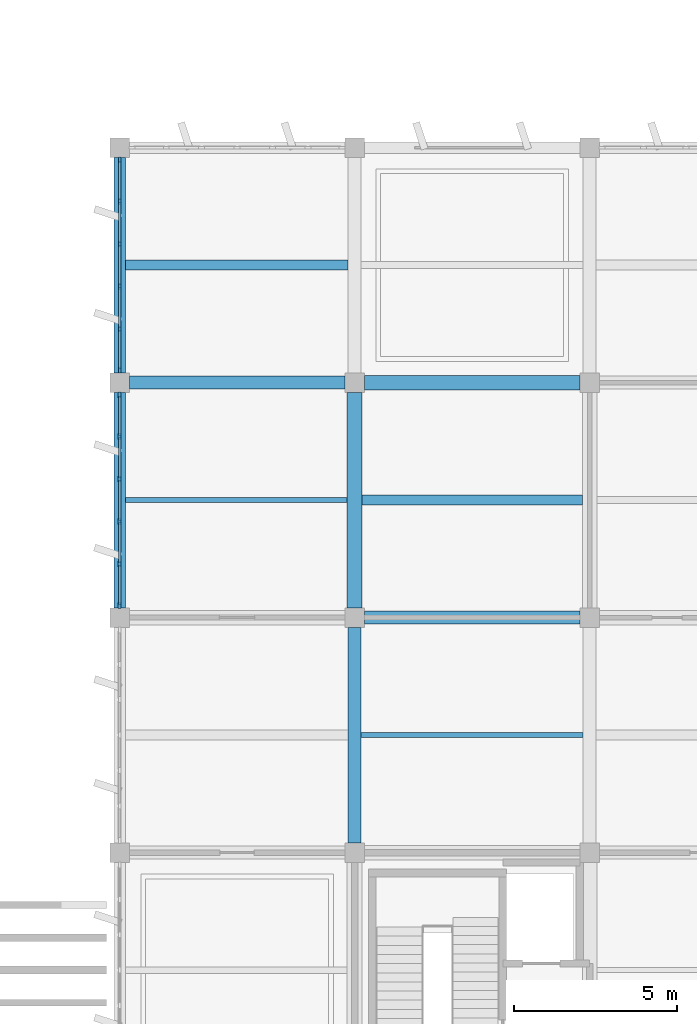
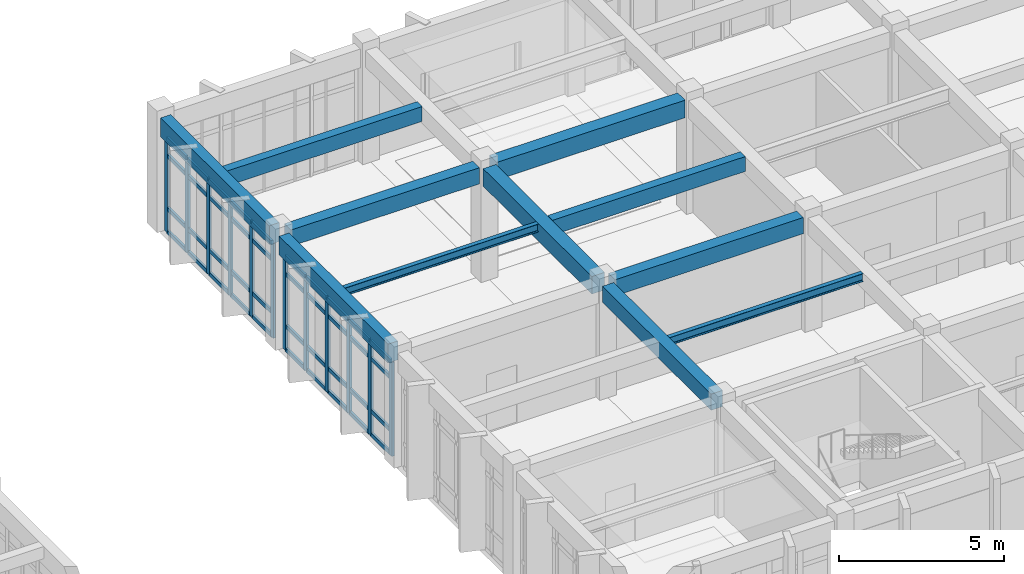
# One storey, part 13 of 81: 54 members, 9 beams, 2 elements without a shape of their own.
"""IFC4 building model written with IfcOpenShell, lengths in metres."""

from ifc_helpers import new_model, si_unit, direction, frame, origin, origin_2d, place, context, subcontext, project, spatial, rectangle, i_section, extrude, material, layer, layer_set, material_profile, profile_set, type_object, element, aggregate, save


model = new_model("IFC4")

# Units and contexts
model_context = context("Model", 3, precision=1e-05, world=origin(), true_north=direction((0.0, 1.0)))
body_context = subcontext(model_context, "Body", "Model", "MODEL_VIEW")
ifc_project = project(units=[si_unit("LENGTHUNIT", "METRE"), si_unit("AREAUNIT", "SQUARE_METRE"), si_unit("VOLUMEUNIT", "CUBIC_METRE"), si_unit("PLANEANGLEUNIT", "RADIAN"), si_unit("MASSUNIT", "GRAM", prefix="KILO")], contexts=[model_context])

# Site, building, storey
site_placement = place(None, origin())
site = spatial("IfcSite", under=ifc_project, at=site_placement, CompositionType="ELEMENT")
building_placement = place(site_placement, origin())
building = spatial("IfcBuilding", under=site, at=building_placement, Name="Kavelor Marine Aquarium", CompositionType="ELEMENT")
storey_placement = place(building_placement, frame((0.0, 0.0, 4.679931640625)))
storey = spatial("IfcBuildingStorey", under=building, at=storey_placement, Name="L01", CompositionType="ELEMENT", Elevation=4.679931640625)

# Beams
ifc_material_1 = material(Name="Concrete C40/50", Category="concrete")
ifc_material_profile_1 = material_profile(ifc_material_1, rectangle(XDim=0.449951171875, YDim=0.64990234375, at=origin_2d()), Name="RC-BM 450x650")
ifc_profile_set_1 = profile_set([ifc_material_profile_1], Name="Concrete C40/50")
beam_type_1 = type_object("IfcBeamType", Name="BM-B3", PredefinedType="BEAM", material=ifc_profile_set_1)
for number, where, z_axis, x_axis, name in (
    (1, (125.89990234375, 24.39990234375, 3.875), (1.0, 0.0, 0.0), (0.0, 1.0, 0.0), "bm:x:L01:L02:17_03"),
    (2, (125.60009765625, 17.5, 3.875), (0.0, 1.0, 0.0), (-1.0, 0.0, 0.0), "bm:y:L01:L02:17_02"),
):
    element("IfcBeam", number, at=place(storey_placement, frame(where, z_axis=z_axis, x_axis=x_axis)), inside=storey, type_object=beam_type_1, Name=name, PredefinedType="BEAM", context=body_context, shape_type="SweptSolid", body=[
        extrude(rectangle(XDim=0.449951171875, YDim=0.64990234375, at=origin_2d()), origin(), (0.0, 0.0, 1.0), 6.60009765625),
    ])
ifc_material_2 = material(Name="Concrete C40/50", Category="concrete")
ifc_material_profile_2 = material_profile(ifc_material_2, rectangle(XDim=0.39990234375, YDim=0.60009765625, at=origin_2d()), Name="RC-BM 400x600")
ifc_profile_set_2 = profile_set([ifc_material_profile_2], Name="Concrete C40/50")
beam_type_2 = type_object("IfcBeamType", Name="BM-B4", PredefinedType="BEAM", material=ifc_profile_set_2)
for number, where, z_axis, x_axis, name in (
    (3, (118.699951171875, 24.39990234375, 3.900146484375), (1.0, 0.0, 0.0), (0.0, 1.0, 0.0), "bm:x:L01:L02:16_03"),
    (4, (125.89990234375, 17.199951171875, 3.900146484375), (1.0, 0.0, 0.0), (0.0, 1.0, 0.0), "bm:x:L01:L02:17_02"),
):
    element("IfcBeam", number, at=place(storey_placement, frame(where, z_axis=z_axis, x_axis=x_axis)), inside=storey, type_object=beam_type_2, Name=name, PredefinedType="BEAM", context=body_context, shape_type="SweptSolid", body=[
        extrude(rectangle(XDim=0.39990234375, YDim=0.60009765625, at=origin_2d()), origin(), (0.0, 0.0, 1.0), 6.60009765625),
    ])
beam_1_placement = place(storey_placement, frame((125.60009765625, 10.300048828125, 3.900146484375), z_axis=(0.0, 1.0, 0.0), x_axis=(-1.0, 0.0, 0.0)))
element("IfcBeam", 5, at=beam_1_placement, inside=storey, type_object=beam_type_2, Name="bm:y:L01:L02:17_01", PredefinedType="BEAM", context=body_context, shape_type="SweptSolid", body=[
    extrude(rectangle(XDim=0.39990234375, YDim=0.60009765625, at=origin_2d()), origin(), (0.0, 0.0, 1.0), 6.599853515625),
])
ifc_material_3 = material(Name="Concrete C40/50", Category="concrete")
ifc_material_profile_3 = material_profile(ifc_material_3, rectangle(XDim=0.300048828125, YDim=0.550048828125, at=origin_2d()), Name="RC-JS 300x550")
ifc_profile_set_3 = profile_set([ifc_material_profile_3], Name="Concrete C40/50")
beam_type_3 = type_object("IfcBeamType", Name="BM-JS2", PredefinedType="JOIST", material=ifc_profile_set_3)
beam_2_placement = place(storey_placement, frame((118.574951171875, 28.0, 3.945068359375), z_axis=(1.0, 0.0, 0.0), x_axis=(0.0, 1.0, 0.0)))
element("IfcBeam", 6, at=beam_2_placement, inside=storey, type_object=beam_type_3, Name="js:L01:L02:16_03", PredefinedType="JOIST", context=body_context, shape_type="SweptSolid", body=[
    extrude(rectangle(XDim=0.300048828125, YDim=0.550048828125, at=origin_2d()), origin(), (0.0, 0.0, 1.0), 6.824951171875),
])
beam_3_placement = place(storey_placement, frame((125.824951171875, 20.800048828125, 3.945068359375), z_axis=(1.0, 0.0, 0.0), x_axis=(0.0, 1.0, 0.0)))
element("IfcBeam", 7, at=beam_3_placement, inside=storey, type_object=beam_type_3, Name="js:L01:L02:17_02", PredefinedType="JOIST", context=body_context, shape_type="SweptSolid", body=[
    extrude(rectangle(XDim=0.300048828125, YDim=0.550048828125, at=origin_2d()), origin(), (0.0, 0.0, 1.0), 6.75),
])
ifc_material_4 = material(Name="Concrete C40/50", Category="concrete")
ifc_material_profile_4 = material_profile(ifc_material_4, rectangle(XDim=0.35009765625, YDim=0.699951171875, at=origin_2d()), Name="RC-SP 350x700")
ifc_profile_set_4 = profile_set([ifc_material_profile_4], Name="Concrete C40/50")
beam_type_4 = type_object("IfcBeamType", Name="BM-SP1", PredefinedType="SPANDREL", material=ifc_profile_set_4)
for number, where, z_axis, x_axis, name in (
    (8, (118.39990234375, 17.5, 3.85009765625), (0.0, 1.0, 0.0), (-1.0, 0.0, 0.0), "bm:y:L01:L02:16_02"),
    (9, (118.39990234375, 24.699951171875, 3.8701171875), (0.0, 1.0, 0.0), (-1.0, 0.0, 0.0), "bm:y:L01:L02:16_03"),
):
    element("IfcBeam", number, at=place(storey_placement, frame(where, z_axis=z_axis, x_axis=x_axis)), inside=storey, type_object=beam_type_4, Name=name, PredefinedType="SPANDREL", context=body_context, shape_type="SweptSolid", body=[
        extrude(rectangle(XDim=0.35009765625, YDim=0.699951171875, at=origin_2d()), origin(), (0.0, 0.0, 1.0), 6.60009765625),
    ])

# Curtain wall, members
ifc_material_5 = material(Name="Thermally Broken Aluminium and Low-E Glass", Category="aluminium")
ifc_layer_1 = layer(ifc_material_5, 0.196044921875)
ifc_layer_set_1 = layer_set([ifc_layer_1], Name="CW-SYS7")
curtain_wall_type_1 = type_object("IfcCurtainWallType", Name="CW-SYS7", PredefinedType="USERDEFINED", material=ifc_layer_set_1)
curtain_wall_1_placement = place(storey_placement, origin())
curtain_wall_1 = element("IfcCurtainWall", 10, at=curtain_wall_1_placement, inside=storey, type_object=curtain_wall_type_1, Name="cw:y:L01:16_03", ObjectType="Curtain Wall", PredefinedType="USERDEFINED")
ifc_material_6 = material(Name="Anodised Aluminium Alloy 6063-T6", Category="aluminium")
ifc_material_profile_5 = material_profile(ifc_material_6, rectangle(XDim=0.074951171875, YDim=0.179931640625, at=origin_2d()), Name="CW-MUL 75x180")
ifc_profile_set_5 = profile_set([ifc_material_profile_5], Name="Anodised Aluminium Alloy 6063-T6")
member_type_1 = type_object("IfcMemberType", Name="CWM-1", PredefinedType="MULLION", material=ifc_profile_set_5)
member_1_placement = place(storey_placement, frame((118.39990234375, 31.217529296875, 0.0), z_axis=(0.0, 0.0, 1.0), x_axis=(1.0, 0.0, 0.0)))
member_1 = element("IfcMember", 11, at=member_1_placement, type_object=member_type_1, Name="CW07 mullion 1", PredefinedType="MULLION", context=body_context, shape_type="SweptSolid", body=[
    extrude(rectangle(XDim=0.074951171875, YDim=0.179931640625, at=origin_2d()), origin(), (0.0, 0.0, 1.0), 3.510009765625),
])
member_2_placement = place(storey_placement, frame((118.39990234375, 29.952880859375, 0.0), z_axis=(0.0, 0.0, 1.0), x_axis=(1.0, 0.0, 0.0)))
member_2 = element("IfcMember", 12, at=member_2_placement, type_object=member_type_1, Name="CW07 mullion 2", PredefinedType="MULLION", context=body_context, shape_type="SweptSolid", body=[
    extrude(rectangle(XDim=0.074951171875, YDim=0.179931640625, at=origin_2d()), origin(), (0.0, 0.0, 1.0), 3.510009765625),
])
member_3_placement = place(storey_placement, frame((118.39990234375, 28.65087890625, 0.0), z_axis=(0.0, 0.0, 1.0), x_axis=(1.0, 0.0, 0.0)))
member_3 = element("IfcMember", 13, at=member_3_placement, type_object=member_type_1, Name="CW07 mullion 3", PredefinedType="MULLION", context=body_context, shape_type="SweptSolid", body=[
    extrude(rectangle(XDim=0.074951171875, YDim=0.179931640625, at=origin_2d()), origin(), (0.0, 0.0, 1.0), 3.510009765625),
])
member_4_placement = place(storey_placement, frame((118.39990234375, 27.34912109375, 0.0), z_axis=(0.0, 0.0, 1.0), x_axis=(1.0, 0.0, 0.0)))
member_4 = element("IfcMember", 14, at=member_4_placement, type_object=member_type_1, Name="CW07 mullion 4", PredefinedType="MULLION", context=body_context, shape_type="SweptSolid", body=[
    extrude(rectangle(XDim=0.074951171875, YDim=0.179931640625, at=origin_2d()), origin(), (0.0, 0.0, 1.0), 3.510009765625),
])
member_5_placement = place(storey_placement, frame((118.39990234375, 26.047119140625, 0.0), z_axis=(0.0, 0.0, 1.0), x_axis=(1.0, 0.0, 0.0)))
member_5 = element("IfcMember", 15, at=member_5_placement, type_object=member_type_1, Name="CW07 mullion 5", PredefinedType="MULLION", context=body_context, shape_type="SweptSolid", body=[
    extrude(rectangle(XDim=0.074951171875, YDim=0.179931640625, at=origin_2d()), origin(), (0.0, 0.0, 1.0), 3.510009765625),
])
member_6_placement = place(storey_placement, frame((118.39990234375, 24.782470703125, 0.0), z_axis=(0.0, 0.0, 1.0), x_axis=(1.0, 0.0, 0.0)))
member_6 = element("IfcMember", 16, at=member_6_placement, type_object=member_type_1, Name="CW07 mullion 6", PredefinedType="MULLION", context=body_context, shape_type="SweptSolid", body=[
    extrude(rectangle(XDim=0.074951171875, YDim=0.179931640625, at=origin_2d()), origin(), (0.0, 0.0, 1.0), 3.510009765625),
])

ifc_material_7 = material(Name="Thermally Broken Aluminium and Low-E Glass", Category="aluminium")
ifc_layer_2 = layer(ifc_material_7, 0.18798828125)
ifc_layer_set_2 = layer_set([ifc_layer_2], Name="CW-SYS6")
curtain_wall_type_2 = type_object("IfcCurtainWallType", Name="CW-SYS6", PredefinedType="USERDEFINED", material=ifc_layer_set_2)
curtain_wall_2_placement = place(storey_placement, origin())
curtain_wall_2 = element("IfcCurtainWall", 17, at=curtain_wall_2_placement, inside=storey, type_object=curtain_wall_type_2, Name="cw:y:L01:16_02", ObjectType="Curtain Wall", PredefinedType="USERDEFINED")
ifc_material_8 = material(Name="Anodised Aluminium Alloy 6063-T6", Category="aluminium")
ifc_material_profile_6 = material_profile(ifc_material_8, rectangle(XDim=0.0849609375, YDim=0.18994140625, at=origin_2d()), Name="CW-MUL 85x190")
ifc_profile_set_6 = profile_set([ifc_material_profile_6], Name="Anodised Aluminium Alloy 6063-T6")
member_type_2 = type_object("IfcMemberType", Name="CWM-3", PredefinedType="MULLION", material=ifc_profile_set_6)
member_7_placement = place(storey_placement, frame((118.39990234375, 24.02490234375, 0.0), z_axis=(0.0, 0.0, 1.0), x_axis=(1.0, 0.0, 0.0)))
member_7 = element("IfcMember", 18, at=member_7_placement, type_object=member_type_2, Name="CW06 mullion 1", PredefinedType="MULLION", context=body_context, shape_type="SweptSolid", body=[
    extrude(rectangle(XDim=0.0849609375, YDim=0.18994140625, at=origin_2d()), origin(), (0.0, 0.0, 1.0), 3.489990234375),
])
member_8_placement = place(storey_placement, frame((118.39990234375, 22.7529296875, 0.0), z_axis=(0.0, 0.0, 1.0), x_axis=(1.0, 0.0, 0.0)))
member_8 = element("IfcMember", 19, at=member_8_placement, type_object=member_type_2, Name="CW06 mullion 2", PredefinedType="MULLION", context=body_context, shape_type="SweptSolid", body=[
    extrude(rectangle(XDim=0.0849609375, YDim=0.18994140625, at=origin_2d()), origin(), (0.0, 0.0, 1.0), 3.489990234375),
])
member_9_placement = place(storey_placement, frame((118.39990234375, 21.450927734375, 0.0), z_axis=(0.0, 0.0, 1.0), x_axis=(1.0, 0.0, 0.0)))
member_9 = element("IfcMember", 20, at=member_9_placement, type_object=member_type_2, Name="CW06 mullion 3", PredefinedType="MULLION", context=body_context, shape_type="SweptSolid", body=[
    extrude(rectangle(XDim=0.0849609375, YDim=0.18994140625, at=origin_2d()), origin(), (0.0, 0.0, 1.0), 3.489990234375),
])
member_10_placement = place(storey_placement, frame((118.39990234375, 20.14892578125, 0.0), z_axis=(0.0, 0.0, 1.0), x_axis=(1.0, 0.0, 0.0)))
member_10 = element("IfcMember", 21, at=member_10_placement, type_object=member_type_2, Name="CW06 mullion 4", PredefinedType="MULLION", context=body_context, shape_type="SweptSolid", body=[
    extrude(rectangle(XDim=0.0849609375, YDim=0.18994140625, at=origin_2d()), origin(), (0.0, 0.0, 1.0), 3.489990234375),
])
member_11_placement = place(storey_placement, frame((118.39990234375, 18.846923828125, 0.0), z_axis=(0.0, 0.0, 1.0), x_axis=(1.0, 0.0, 0.0)))
member_11 = element("IfcMember", 22, at=member_11_placement, type_object=member_type_2, Name="CW06 mullion 5", PredefinedType="MULLION", context=body_context, shape_type="SweptSolid", body=[
    extrude(rectangle(XDim=0.0849609375, YDim=0.18994140625, at=origin_2d()), origin(), (0.0, 0.0, 1.0), 3.489990234375),
])
member_12_placement = place(storey_placement, frame((118.39990234375, 17.574951171875, 0.0), z_axis=(0.0, 0.0, 1.0), x_axis=(1.0, 0.0, 0.0)))
member_12 = element("IfcMember", 23, at=member_12_placement, type_object=member_type_2, Name="CW06 mullion 6", PredefinedType="MULLION", context=body_context, shape_type="SweptSolid", body=[
    extrude(rectangle(XDim=0.0849609375, YDim=0.18994140625, at=origin_2d()), origin(), (0.0, 0.0, 1.0), 3.489990234375),
])
ifc_material_9 = material(Name="Anodised Aluminium Alloy 6063-T6", Category="aluminium")
ifc_material_profile_7 = material_profile(ifc_material_9, rectangle(XDim=0.074951171875, YDim=0.14990234375, at=origin_2d()), Name="CW-TRN 75x150")
ifc_profile_set_7 = profile_set([ifc_material_profile_7], Name="Anodised Aluminium Alloy 6063-T6")
member_type_3 = type_object("IfcMemberType", Name="CWT-1", PredefinedType="USERDEFINED", material=ifc_profile_set_7)
member_13_placement = place(storey_placement, frame((118.39990234375, 23.9951171875, 0.03759765625), z_axis=(0.0, -1.0, 0.0), x_axis=(1.0, 0.0, 0.0)))
member_13 = element("IfcMember", 24, at=member_13_placement, type_object=member_type_3, Name="CW06 transom 1.1", ObjectType="TRANSOM", PredefinedType="USERDEFINED", context=body_context, shape_type="SweptSolid", body=[
    extrude(rectangle(XDim=0.074951171875, YDim=0.14990234375, at=origin_2d()), origin(), (0.0, 0.0, 1.0), 1.212158203125),
])
member_14_placement = place(storey_placement, frame((118.39990234375, 23.9951171875, 0.900146484375), z_axis=(0.0, -1.0, 0.0), x_axis=(1.0, 0.0, 0.0)))
member_14 = element("IfcMember", 25, at=member_14_placement, type_object=member_type_3, Name="CW06 transom 1.2", ObjectType="TRANSOM", PredefinedType="USERDEFINED", context=body_context, shape_type="SweptSolid", body=[
    extrude(rectangle(XDim=0.074951171875, YDim=0.14990234375, at=origin_2d()), origin(), (0.0, 0.0, 1.0), 1.212158203125),
])
member_15_placement = place(storey_placement, frame((118.39990234375, 23.9951171875, 2.840087890625), z_axis=(0.0, -1.0, 0.0), x_axis=(1.0, 0.0, 0.0)))
member_15 = element("IfcMember", 26, at=member_15_placement, type_object=member_type_3, Name="CW06 transom 1.3", ObjectType="TRANSOM", PredefinedType="USERDEFINED", context=body_context, shape_type="SweptSolid", body=[
    extrude(rectangle(XDim=0.074951171875, YDim=0.14990234375, at=origin_2d()), origin(), (0.0, 0.0, 1.0), 1.212158203125),
])
member_16_placement = place(storey_placement, frame((118.39990234375, 23.9951171875, 3.45263671875), z_axis=(0.0, -1.0, 0.0), x_axis=(1.0, 0.0, 0.0)))
member_16 = element("IfcMember", 27, at=member_16_placement, type_object=member_type_3, Name="CW06 transom 1.4", ObjectType="TRANSOM", PredefinedType="USERDEFINED", context=body_context, shape_type="SweptSolid", body=[
    extrude(rectangle(XDim=0.074951171875, YDim=0.14990234375, at=origin_2d()), origin(), (0.0, 0.0, 1.0), 1.212158203125),
])
member_17_placement = place(storey_placement, frame((118.39990234375, 22.722900390625, 0.03759765625), z_axis=(0.0, -1.0, 0.0), x_axis=(1.0, 0.0, 0.0)))
member_17 = element("IfcMember", 28, at=member_17_placement, type_object=member_type_3, Name="CW06 transom 2.1", ObjectType="TRANSOM", PredefinedType="USERDEFINED", context=body_context, shape_type="SweptSolid", body=[
    extrude(rectangle(XDim=0.074951171875, YDim=0.14990234375, at=origin_2d()), origin(), (0.0, 0.0, 1.0), 1.241943359375),
])
member_18_placement = place(storey_placement, frame((118.39990234375, 22.722900390625, 0.900146484375), z_axis=(0.0, -1.0, 0.0), x_axis=(1.0, 0.0, 0.0)))
member_18 = element("IfcMember", 29, at=member_18_placement, type_object=member_type_3, Name="CW06 transom 2.2", ObjectType="TRANSOM", PredefinedType="USERDEFINED", context=body_context, shape_type="SweptSolid", body=[
    extrude(rectangle(XDim=0.074951171875, YDim=0.14990234375, at=origin_2d()), origin(), (0.0, 0.0, 1.0), 1.241943359375),
])
member_19_placement = place(storey_placement, frame((118.39990234375, 22.722900390625, 2.840087890625), z_axis=(0.0, -1.0, 0.0), x_axis=(1.0, 0.0, 0.0)))
member_19 = element("IfcMember", 30, at=member_19_placement, type_object=member_type_3, Name="CW06 transom 2.3", ObjectType="TRANSOM", PredefinedType="USERDEFINED", context=body_context, shape_type="SweptSolid", body=[
    extrude(rectangle(XDim=0.074951171875, YDim=0.14990234375, at=origin_2d()), origin(), (0.0, 0.0, 1.0), 1.241943359375),
])
member_20_placement = place(storey_placement, frame((118.39990234375, 22.722900390625, 3.45263671875), z_axis=(0.0, -1.0, 0.0), x_axis=(1.0, 0.0, 0.0)))
member_20 = element("IfcMember", 31, at=member_20_placement, type_object=member_type_3, Name="CW06 transom 2.4", ObjectType="TRANSOM", PredefinedType="USERDEFINED", context=body_context, shape_type="SweptSolid", body=[
    extrude(rectangle(XDim=0.074951171875, YDim=0.14990234375, at=origin_2d()), origin(), (0.0, 0.0, 1.0), 1.241943359375),
])
member_21_placement = place(storey_placement, frame((118.39990234375, 21.4208984375, 0.03759765625), z_axis=(0.0, -1.0, 0.0), x_axis=(1.0, 0.0, 0.0)))
member_21 = element("IfcMember", 32, at=member_21_placement, type_object=member_type_3, Name="CW06 transom 3.1", ObjectType="TRANSOM", PredefinedType="USERDEFINED", context=body_context, shape_type="SweptSolid", body=[
    extrude(rectangle(XDim=0.074951171875, YDim=0.14990234375, at=origin_2d()), origin(), (0.0, 0.0, 1.0), 1.241943359375),
])
member_22_placement = place(storey_placement, frame((118.39990234375, 21.4208984375, 0.900146484375), z_axis=(0.0, -1.0, 0.0), x_axis=(1.0, 0.0, 0.0)))
member_22 = element("IfcMember", 33, at=member_22_placement, type_object=member_type_3, Name="CW06 transom 3.2", ObjectType="TRANSOM", PredefinedType="USERDEFINED", context=body_context, shape_type="SweptSolid", body=[
    extrude(rectangle(XDim=0.074951171875, YDim=0.14990234375, at=origin_2d()), origin(), (0.0, 0.0, 1.0), 1.241943359375),
])
member_23_placement = place(storey_placement, frame((118.39990234375, 21.4208984375, 2.840087890625), z_axis=(0.0, -1.0, 0.0), x_axis=(1.0, 0.0, 0.0)))
member_23 = element("IfcMember", 34, at=member_23_placement, type_object=member_type_3, Name="CW06 transom 3.3", ObjectType="TRANSOM", PredefinedType="USERDEFINED", context=body_context, shape_type="SweptSolid", body=[
    extrude(rectangle(XDim=0.074951171875, YDim=0.14990234375, at=origin_2d()), origin(), (0.0, 0.0, 1.0), 1.241943359375),
])
member_24_placement = place(storey_placement, frame((118.39990234375, 21.4208984375, 3.45263671875), z_axis=(0.0, -1.0, 0.0), x_axis=(1.0, 0.0, 0.0)))
member_24 = element("IfcMember", 35, at=member_24_placement, type_object=member_type_3, Name="CW06 transom 3.4", ObjectType="TRANSOM", PredefinedType="USERDEFINED", context=body_context, shape_type="SweptSolid", body=[
    extrude(rectangle(XDim=0.074951171875, YDim=0.14990234375, at=origin_2d()), origin(), (0.0, 0.0, 1.0), 1.241943359375),
])
member_25_placement = place(storey_placement, frame((118.39990234375, 20.118896484375, 0.03759765625), z_axis=(0.0, -1.0, 0.0), x_axis=(1.0, 0.0, 0.0)))
member_25 = element("IfcMember", 36, at=member_25_placement, type_object=member_type_3, Name="CW06 transom 4.1", ObjectType="TRANSOM", PredefinedType="USERDEFINED", context=body_context, shape_type="SweptSolid", body=[
    extrude(rectangle(XDim=0.074951171875, YDim=0.14990234375, at=origin_2d()), origin(), (0.0, 0.0, 1.0), 1.241943359375),
])
member_26_placement = place(storey_placement, frame((118.39990234375, 20.118896484375, 0.900146484375), z_axis=(0.0, -1.0, 0.0), x_axis=(1.0, 0.0, 0.0)))
member_26 = element("IfcMember", 37, at=member_26_placement, type_object=member_type_3, Name="CW06 transom 4.2", ObjectType="TRANSOM", PredefinedType="USERDEFINED", context=body_context, shape_type="SweptSolid", body=[
    extrude(rectangle(XDim=0.074951171875, YDim=0.14990234375, at=origin_2d()), origin(), (0.0, 0.0, 1.0), 1.241943359375),
])
member_27_placement = place(storey_placement, frame((118.39990234375, 20.118896484375, 2.840087890625), z_axis=(0.0, -1.0, 0.0), x_axis=(1.0, 0.0, 0.0)))
member_27 = element("IfcMember", 38, at=member_27_placement, type_object=member_type_3, Name="CW06 transom 4.3", ObjectType="TRANSOM", PredefinedType="USERDEFINED", context=body_context, shape_type="SweptSolid", body=[
    extrude(rectangle(XDim=0.074951171875, YDim=0.14990234375, at=origin_2d()), origin(), (0.0, 0.0, 1.0), 1.241943359375),
])
member_28_placement = place(storey_placement, frame((118.39990234375, 20.118896484375, 3.45263671875), z_axis=(0.0, -1.0, 0.0), x_axis=(1.0, 0.0, 0.0)))
member_28 = element("IfcMember", 39, at=member_28_placement, type_object=member_type_3, Name="CW06 transom 4.4", ObjectType="TRANSOM", PredefinedType="USERDEFINED", context=body_context, shape_type="SweptSolid", body=[
    extrude(rectangle(XDim=0.074951171875, YDim=0.14990234375, at=origin_2d()), origin(), (0.0, 0.0, 1.0), 1.241943359375),
])
member_29_placement = place(storey_placement, frame((118.39990234375, 18.81689453125, 0.03759765625), z_axis=(0.0, -1.0, 0.0), x_axis=(1.0, 0.0, 0.0)))
member_29 = element("IfcMember", 40, at=member_29_placement, type_object=member_type_3, Name="CW06 transom 5.1", ObjectType="TRANSOM", PredefinedType="USERDEFINED", context=body_context, shape_type="SweptSolid", body=[
    extrude(rectangle(XDim=0.074951171875, YDim=0.14990234375, at=origin_2d()), origin(), (0.0, 0.0, 1.0), 1.2119140625),
])
member_30_placement = place(storey_placement, frame((118.39990234375, 18.81689453125, 0.900146484375), z_axis=(0.0, -1.0, 0.0), x_axis=(1.0, 0.0, 0.0)))
member_30 = element("IfcMember", 41, at=member_30_placement, type_object=member_type_3, Name="CW06 transom 5.2", ObjectType="TRANSOM", PredefinedType="USERDEFINED", context=body_context, shape_type="SweptSolid", body=[
    extrude(rectangle(XDim=0.074951171875, YDim=0.14990234375, at=origin_2d()), origin(), (0.0, 0.0, 1.0), 1.2119140625),
])
member_31_placement = place(storey_placement, frame((118.39990234375, 18.81689453125, 2.840087890625), z_axis=(0.0, -1.0, 0.0), x_axis=(1.0, 0.0, 0.0)))
member_31 = element("IfcMember", 42, at=member_31_placement, type_object=member_type_3, Name="CW06 transom 5.3", ObjectType="TRANSOM", PredefinedType="USERDEFINED", context=body_context, shape_type="SweptSolid", body=[
    extrude(rectangle(XDim=0.074951171875, YDim=0.14990234375, at=origin_2d()), origin(), (0.0, 0.0, 1.0), 1.2119140625),
])
member_32_placement = place(storey_placement, frame((118.39990234375, 18.81689453125, 3.45263671875), z_axis=(0.0, -1.0, 0.0), x_axis=(1.0, 0.0, 0.0)))
member_32 = element("IfcMember", 43, at=member_32_placement, type_object=member_type_3, Name="CW06 transom 5.4", ObjectType="TRANSOM", PredefinedType="USERDEFINED", context=body_context, shape_type="SweptSolid", body=[
    extrude(rectangle(XDim=0.074951171875, YDim=0.14990234375, at=origin_2d()), origin(), (0.0, 0.0, 1.0), 1.2119140625),
])
aggregate(curtain_wall_2, [member_7, member_8, member_9, member_10, member_11, member_12, member_13, member_14, member_15, member_16, member_17, member_18, member_19, member_20, member_21, member_22, member_23, member_24, member_25, member_26, member_27, member_28, member_29, member_30, member_31, member_32])

# Member
member_33_placement = place(storey_placement, frame((118.39990234375, 31.179931640625, 0.03759765625), z_axis=(0.0, -1.0, 0.0), x_axis=(1.0, 0.0, 0.0)))
member_33 = element("IfcMember", 44, at=member_33_placement, type_object=member_type_3, Name="CW07 transom 1.1", ObjectType="TRANSOM", PredefinedType="USERDEFINED", context=body_context, shape_type="SweptSolid", body=[
    extrude(rectangle(XDim=0.074951171875, YDim=0.14990234375, at=origin_2d()), origin(), (0.0, 0.0, 1.0), 1.189453125),
])

member_34_placement = place(storey_placement, frame((118.39990234375, 31.179931640625, 0.900146484375), z_axis=(0.0, -1.0, 0.0), x_axis=(1.0, 0.0, 0.0)))
member_34 = element("IfcMember", 45, at=member_34_placement, type_object=member_type_3, Name="CW07 transom 1.2", ObjectType="TRANSOM", PredefinedType="USERDEFINED", context=body_context, shape_type="SweptSolid", body=[
    extrude(rectangle(XDim=0.074951171875, YDim=0.14990234375, at=origin_2d()), origin(), (0.0, 0.0, 1.0), 1.189453125),
])

member_35_placement = place(storey_placement, frame((118.39990234375, 31.179931640625, 2.860107421875), z_axis=(0.0, -1.0, 0.0), x_axis=(1.0, 0.0, 0.0)))
member_35 = element("IfcMember", 46, at=member_35_placement, type_object=member_type_3, Name="CW07 transom 1.3", ObjectType="TRANSOM", PredefinedType="USERDEFINED", context=body_context, shape_type="SweptSolid", body=[
    extrude(rectangle(XDim=0.074951171875, YDim=0.14990234375, at=origin_2d()), origin(), (0.0, 0.0, 1.0), 1.189453125),
])

member_36_placement = place(storey_placement, frame((118.39990234375, 31.179931640625, 3.47265625), z_axis=(0.0, -1.0, 0.0), x_axis=(1.0, 0.0, 0.0)))
member_36 = element("IfcMember", 47, at=member_36_placement, type_object=member_type_3, Name="CW07 transom 1.4", ObjectType="TRANSOM", PredefinedType="USERDEFINED", context=body_context, shape_type="SweptSolid", body=[
    extrude(rectangle(XDim=0.074951171875, YDim=0.14990234375, at=origin_2d()), origin(), (0.0, 0.0, 1.0), 1.189453125),
])

member_37_placement = place(storey_placement, frame((118.39990234375, 29.91552734375, 0.03759765625), z_axis=(0.0, -1.0, 0.0), x_axis=(1.0, 0.0, 0.0)))
member_37 = element("IfcMember", 48, at=member_37_placement, type_object=member_type_3, Name="CW07 transom 2.1", ObjectType="TRANSOM", PredefinedType="USERDEFINED", context=body_context, shape_type="SweptSolid", body=[
    extrude(rectangle(XDim=0.074951171875, YDim=0.14990234375, at=origin_2d()), origin(), (0.0, 0.0, 1.0), 1.22705078125),
])

member_38_placement = place(storey_placement, frame((118.39990234375, 29.91552734375, 0.900146484375), z_axis=(0.0, -1.0, 0.0), x_axis=(1.0, 0.0, 0.0)))
member_38 = element("IfcMember", 49, at=member_38_placement, type_object=member_type_3, Name="CW07 transom 2.2", ObjectType="TRANSOM", PredefinedType="USERDEFINED", context=body_context, shape_type="SweptSolid", body=[
    extrude(rectangle(XDim=0.074951171875, YDim=0.14990234375, at=origin_2d()), origin(), (0.0, 0.0, 1.0), 1.22705078125),
])

member_39_placement = place(storey_placement, frame((118.39990234375, 29.91552734375, 2.860107421875), z_axis=(0.0, -1.0, 0.0), x_axis=(1.0, 0.0, 0.0)))
member_39 = element("IfcMember", 50, at=member_39_placement, type_object=member_type_3, Name="CW07 transom 2.3", ObjectType="TRANSOM", PredefinedType="USERDEFINED", context=body_context, shape_type="SweptSolid", body=[
    extrude(rectangle(XDim=0.074951171875, YDim=0.14990234375, at=origin_2d()), origin(), (0.0, 0.0, 1.0), 1.22705078125),
])

member_40_placement = place(storey_placement, frame((118.39990234375, 29.91552734375, 3.47265625), z_axis=(0.0, -1.0, 0.0), x_axis=(1.0, 0.0, 0.0)))
member_40 = element("IfcMember", 51, at=member_40_placement, type_object=member_type_3, Name="CW07 transom 2.4", ObjectType="TRANSOM", PredefinedType="USERDEFINED", context=body_context, shape_type="SweptSolid", body=[
    extrude(rectangle(XDim=0.074951171875, YDim=0.14990234375, at=origin_2d()), origin(), (0.0, 0.0, 1.0), 1.22705078125),
])

member_41_placement = place(storey_placement, frame((118.39990234375, 28.613525390625, 0.03759765625), z_axis=(0.0, -1.0, 0.0), x_axis=(1.0, 0.0, 0.0)))
member_41 = element("IfcMember", 52, at=member_41_placement, type_object=member_type_3, Name="CW07 transom 3.1", ObjectType="TRANSOM", PredefinedType="USERDEFINED", context=body_context, shape_type="SweptSolid", body=[
    extrude(rectangle(XDim=0.074951171875, YDim=0.14990234375, at=origin_2d()), origin(), (0.0, 0.0, 1.0), 1.22705078125),
])

member_42_placement = place(storey_placement, frame((118.39990234375, 28.613525390625, 0.900146484375), z_axis=(0.0, -1.0, 0.0), x_axis=(1.0, 0.0, 0.0)))
member_42 = element("IfcMember", 53, at=member_42_placement, type_object=member_type_3, Name="CW07 transom 3.2", ObjectType="TRANSOM", PredefinedType="USERDEFINED", context=body_context, shape_type="SweptSolid", body=[
    extrude(rectangle(XDim=0.074951171875, YDim=0.14990234375, at=origin_2d()), origin(), (0.0, 0.0, 1.0), 1.22705078125),
])

member_43_placement = place(storey_placement, frame((118.39990234375, 28.613525390625, 2.860107421875), z_axis=(0.0, -1.0, 0.0), x_axis=(1.0, 0.0, 0.0)))
member_43 = element("IfcMember", 54, at=member_43_placement, type_object=member_type_3, Name="CW07 transom 3.3", ObjectType="TRANSOM", PredefinedType="USERDEFINED", context=body_context, shape_type="SweptSolid", body=[
    extrude(rectangle(XDim=0.074951171875, YDim=0.14990234375, at=origin_2d()), origin(), (0.0, 0.0, 1.0), 1.22705078125),
])

member_44_placement = place(storey_placement, frame((118.39990234375, 28.613525390625, 3.47265625), z_axis=(0.0, -1.0, 0.0), x_axis=(1.0, 0.0, 0.0)))
member_44 = element("IfcMember", 55, at=member_44_placement, type_object=member_type_3, Name="CW07 transom 3.4", ObjectType="TRANSOM", PredefinedType="USERDEFINED", context=body_context, shape_type="SweptSolid", body=[
    extrude(rectangle(XDim=0.074951171875, YDim=0.14990234375, at=origin_2d()), origin(), (0.0, 0.0, 1.0), 1.22705078125),
])

member_45_placement = place(storey_placement, frame((118.39990234375, 27.3115234375, 0.03759765625), z_axis=(0.0, -1.0, 0.0), x_axis=(1.0, 0.0, 0.0)))
member_45 = element("IfcMember", 56, at=member_45_placement, type_object=member_type_3, Name="CW07 transom 4.1", ObjectType="TRANSOM", PredefinedType="USERDEFINED", context=body_context, shape_type="SweptSolid", body=[
    extrude(rectangle(XDim=0.074951171875, YDim=0.14990234375, at=origin_2d()), origin(), (0.0, 0.0, 1.0), 1.22705078125),
])

member_46_placement = place(storey_placement, frame((118.39990234375, 27.3115234375, 0.900146484375), z_axis=(0.0, -1.0, 0.0), x_axis=(1.0, 0.0, 0.0)))
member_46 = element("IfcMember", 57, at=member_46_placement, type_object=member_type_3, Name="CW07 transom 4.2", ObjectType="TRANSOM", PredefinedType="USERDEFINED", context=body_context, shape_type="SweptSolid", body=[
    extrude(rectangle(XDim=0.074951171875, YDim=0.14990234375, at=origin_2d()), origin(), (0.0, 0.0, 1.0), 1.22705078125),
])

member_47_placement = place(storey_placement, frame((118.39990234375, 27.3115234375, 2.860107421875), z_axis=(0.0, -1.0, 0.0), x_axis=(1.0, 0.0, 0.0)))
member_47 = element("IfcMember", 58, at=member_47_placement, type_object=member_type_3, Name="CW07 transom 4.3", ObjectType="TRANSOM", PredefinedType="USERDEFINED", context=body_context, shape_type="SweptSolid", body=[
    extrude(rectangle(XDim=0.074951171875, YDim=0.14990234375, at=origin_2d()), origin(), (0.0, 0.0, 1.0), 1.22705078125),
])

member_48_placement = place(storey_placement, frame((118.39990234375, 27.3115234375, 3.47265625), z_axis=(0.0, -1.0, 0.0), x_axis=(1.0, 0.0, 0.0)))
member_48 = element("IfcMember", 59, at=member_48_placement, type_object=member_type_3, Name="CW07 transom 4.4", ObjectType="TRANSOM", PredefinedType="USERDEFINED", context=body_context, shape_type="SweptSolid", body=[
    extrude(rectangle(XDim=0.074951171875, YDim=0.14990234375, at=origin_2d()), origin(), (0.0, 0.0, 1.0), 1.22705078125),
])

member_49_placement = place(storey_placement, frame((118.39990234375, 26.009521484375, 0.03759765625), z_axis=(0.0, -1.0, 0.0), x_axis=(1.0, 0.0, 0.0)))
member_49 = element("IfcMember", 60, at=member_49_placement, type_object=member_type_3, Name="CW07 transom 5.1", ObjectType="TRANSOM", PredefinedType="USERDEFINED", context=body_context, shape_type="SweptSolid", body=[
    extrude(rectangle(XDim=0.074951171875, YDim=0.14990234375, at=origin_2d()), origin(), (0.0, 0.0, 1.0), 1.189453125),
])

member_50_placement = place(storey_placement, frame((118.39990234375, 26.009521484375, 0.900146484375), z_axis=(0.0, -1.0, 0.0), x_axis=(1.0, 0.0, 0.0)))
member_50 = element("IfcMember", 61, at=member_50_placement, type_object=member_type_3, Name="CW07 transom 5.2", ObjectType="TRANSOM", PredefinedType="USERDEFINED", context=body_context, shape_type="SweptSolid", body=[
    extrude(rectangle(XDim=0.074951171875, YDim=0.14990234375, at=origin_2d()), origin(), (0.0, 0.0, 1.0), 1.189453125),
])

member_51_placement = place(storey_placement, frame((118.39990234375, 26.009521484375, 2.860107421875), z_axis=(0.0, -1.0, 0.0), x_axis=(1.0, 0.0, 0.0)))
member_51 = element("IfcMember", 62, at=member_51_placement, type_object=member_type_3, Name="CW07 transom 5.3", ObjectType="TRANSOM", PredefinedType="USERDEFINED", context=body_context, shape_type="SweptSolid", body=[
    extrude(rectangle(XDim=0.074951171875, YDim=0.14990234375, at=origin_2d()), origin(), (0.0, 0.0, 1.0), 1.189453125),
])

member_52_placement = place(storey_placement, frame((118.39990234375, 26.009521484375, 3.47265625), z_axis=(0.0, -1.0, 0.0), x_axis=(1.0, 0.0, 0.0)))
member_52 = element("IfcMember", 63, at=member_52_placement, type_object=member_type_3, Name="CW07 transom 5.4", ObjectType="TRANSOM", PredefinedType="USERDEFINED", context=body_context, shape_type="SweptSolid", body=[
    extrude(rectangle(XDim=0.074951171875, YDim=0.14990234375, at=origin_2d()), origin(), (0.0, 0.0, 1.0), 1.189453125),
])

aggregate(curtain_wall_1, [member_1, member_2, member_3, member_4, member_5, member_6, member_33, member_34, member_35, member_36, member_37, member_38, member_39, member_40, member_41, member_42, member_43, member_44, member_45, member_46, member_47, member_48, member_49, member_50, member_51, member_52])

# Members
ifc_material_10 = material(Name="Steel S355", Category="steel")
ifc_material_profile_8 = material_profile(ifc_material_10, i_section(OverallWidth=0.14990234375, OverallDepth=0.300048828125, WebThickness=0.007080078125, FlangeThickness=0.0107421875, FilletRadius=0.014892578125, at=origin_2d()), Name="IPE 300")
ifc_profile_set_8 = profile_set([ifc_material_profile_8], Name="Steel S355")
member_type_4 = type_object("IfcMemberType", Name="PR-SJ4", PredefinedType="PURLIN", material=ifc_profile_set_8)
for number, where, z_axis, x_axis, name in (
    (64, (118.574951171875, 20.800048828125, 4.050048828125), (1.0, 0.0, 0.0), (0.0, 1.0, 0.0), "js:L01:L02:16_02"),
    (65, (125.800048828125, 13.60009765625, 4.050048828125), (1.0, 0.0, 0.0), (0.0, 1.0, 0.0), "js:L01:L02:17_01"),
):
    element("IfcMember", number, at=place(storey_placement, frame(where, z_axis=z_axis, x_axis=x_axis)), inside=storey, type_object=member_type_4, Name=name, PredefinedType="PURLIN", context=body_context, shape_type="SweptSolid", body=[
        extrude(i_section(OverallWidth=0.14990234375, OverallDepth=0.300048828125, WebThickness=0.007080078125, FlangeThickness=0.0107421875, FilletRadius=0.014892578125, at=origin_2d()), origin(), (0.0, 0.0, 1.0), 6.800048828125),
    ])

save(model, "model.ifc")
